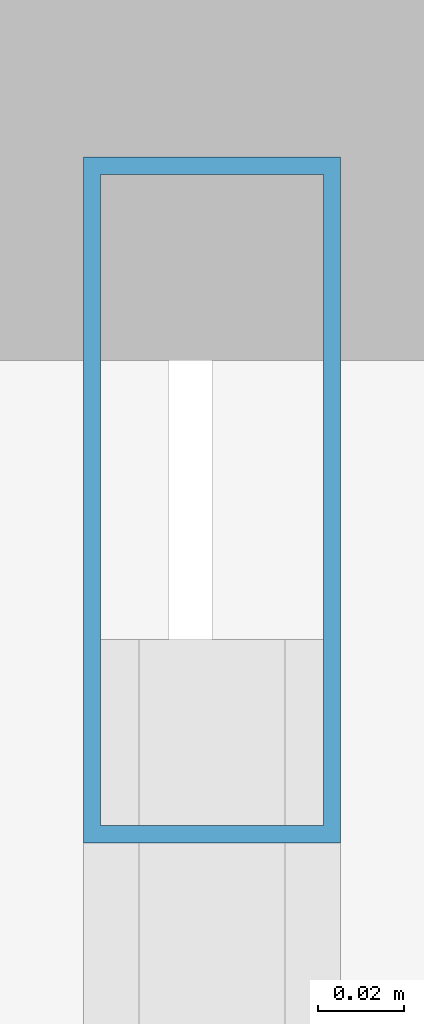
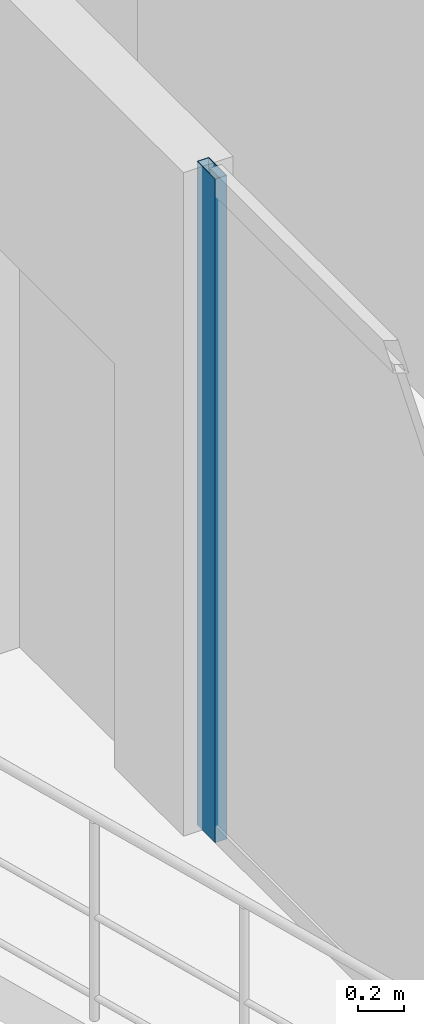
# One storey, part 9 of 17: 1 member, 1 element without a shape of its own.
"""IFC4 building model written with IfcOpenShell, lengths in metres."""

import ifcopenshell
import ifcopenshell.guid

model = None  # the IFC model being written
_history = None  # IfcOwnerHistory: only IFC2X3 demands one
_inside = {}  # id of a spatial element -> (the spatial element, [elements in it])
_under = {}  # id of a project, library or spatial element -> (it, [spatial elements below it])
_declared = {}  # id of a project -> (the project, [libraries it declares])
_typed = {}  # id of a type object -> (the type object, [elements of that type])
_made_of = {}  # id of a material, layer set ... -> (it, [elements and type objects made of it])


def new_model(schema):
    """Start an empty IFC model of exactly this schema.

    Asked for "IFC4X3", IfcOpenShell would pick the latest addendum, in which some entities
    have other attributes; the version numbers below select the first issue.
    IFC2X3 requires an IfcOwnerHistory on every rooted entity: one is made here for all.
    """
    global model, _history
    if schema == "IFC4X3":
        model = ifcopenshell.file(schema_version=(4, 3, 0, 0))
    else:
        model = ifcopenshell.file(schema=schema)
    _inside.clear()
    _under.clear()
    _declared.clear()
    _typed.clear()
    _made_of.clear()
    _history = None
    if model.schema == "IFC2X3":
        org = make("IfcOrganization", Name="unknown")
        user = make(
            "IfcPersonAndOrganization",
            ThePerson=make("IfcPerson", FamilyName="unknown"),
            TheOrganization=org,
        )
        app = make(
            "IfcApplication",
            ApplicationDeveloper=org,
            Version="unknown",
            ApplicationFullName="unknown",
            ApplicationIdentifier="unknown",
        )
        _history = make(
            "IfcOwnerHistory",
            OwningUser=user,
            OwningApplication=app,
            ChangeAction="ADDED",
            CreationDate=0,
        )
    return model


def make(cls, **values):
    """One entity of the class cls with the attributes given. An attribute that is None is left unset."""
    return model.create_entity(
        cls, **{name: value for name, value in values.items() if value is not None}
    )


def rooted(cls, **values):
    """An entity with a GlobalId (a new one), such as an element, a storey or a relation."""
    return make(cls, GlobalId=ifcopenshell.guid.new(), OwnerHistory=_history, **values)


def si_unit(unit_type, name, prefix=None):
    """IfcSIUnit, for example si_unit("LENGTHUNIT", "METRE", prefix="MILLI")."""
    return make("IfcSIUnit", UnitType=unit_type, Prefix=prefix, Name=name)


def assignment(units):
    """IfcUnitAssignment: the units of a project."""
    return None if units is None else make("IfcUnitAssignment", Units=units)


def point(xyz):
    """IfcCartesianPoint."""
    return None if xyz is None else make("IfcCartesianPoint", Coordinates=xyz)


def direction(xyz):
    """IfcDirection."""
    return None if xyz is None else make("IfcDirection", DirectionRatios=xyz)


def frame(location, z_axis=None, x_axis=None):
    """IfcAxis2Placement3D, a coordinate frame: its origin and axes. An axis left out is left unset."""
    return make(
        "IfcAxis2Placement3D",
        Location=point(location),
        Axis=direction(z_axis),
        RefDirection=direction(x_axis),
    )


def frame_2d(location, x_axis=None):
    """IfcAxis2Placement2D, a coordinate frame in the plane: its origin and x axis."""
    return make(
        "IfcAxis2Placement2D", Location=point(location), RefDirection=direction(x_axis)
    )


def origin():
    """The frame at (0, 0, 0) with its axes left unset."""
    return frame((0.0, 0.0, 0.0))


def origin_2d():
    """The frame at (0, 0) in the plane with its x axis left unset."""
    return frame_2d((0.0, 0.0))


def place(relative_to, where):
    """IfcLocalPlacement: puts the frame where relative to a parent placement (None: the world)."""
    return make(
        "IfcLocalPlacement", PlacementRelTo=relative_to, RelativePlacement=where
    )


def context(
    kind, dimensions, precision=None, world=None, true_north=None, identifier=None
):
    """IfcGeometricRepresentationContext, for example the 3D "Model" context."""
    return make(
        "IfcGeometricRepresentationContext",
        ContextIdentifier=identifier,
        ContextType=kind,
        CoordinateSpaceDimension=dimensions,
        Precision=precision,
        WorldCoordinateSystem=world,
        TrueNorth=true_north,
    )


def subcontext(parent, identifier, kind, view, scale=None):
    """IfcGeometricRepresentationSubContext, for example "Body" below "Model"."""
    return make(
        "IfcGeometricRepresentationSubContext",
        ContextIdentifier=identifier,
        ContextType=kind,
        ParentContext=parent,
        TargetScale=scale,
        TargetView=view,
    )


def project(units=None, contexts=None):
    """IfcProject with its units and contexts."""
    return rooted(
        "IfcProject",
        Name="project",
        RepresentationContexts=contexts,
        UnitsInContext=assignment(units),
    )


def spatial(cls, under=None, at=None, **own):
    """A site, building, storey or space (cls), placed at a placement, below another one or the project."""
    s = rooted(cls, ObjectPlacement=at, **own)
    if under is not None:
        _under.setdefault(under.id(), (under, []))[1].append(s)
    return s


def profile(cls, at=None, kind="AREA", **sizes):
    """A parametric profile (cls). Its sizes go by their IFC names, for example OverallWidth=200.0."""
    return make(cls, ProfileType=kind, Position=at, **sizes)


def hollow_rectangle(**sizes):
    """IfcRectangleHollowProfileDef."""
    return profile("IfcRectangleHollowProfileDef", **sizes)


def extrude(swept, where, along, depth):
    """IfcExtrudedAreaSolid: the profile swept, set in the frame where, extruded along a direction by depth."""
    return make(
        "IfcExtrudedAreaSolid",
        SweptArea=swept,
        Position=where,
        ExtrudedDirection=direction(along),
        Depth=depth,
    )


def shape(context_of_items, identifier, shape_type, items):
    """IfcShapeRepresentation: the items that make up one representation, for example the "Body"."""
    return make(
        "IfcShapeRepresentation",
        ContextOfItems=context_of_items,
        RepresentationIdentifier=identifier,
        RepresentationType=shape_type,
        Items=items,
    )


def material(Name=None, Category=None):
    """IfcMaterial."""
    return make("IfcMaterial", Name=Name, Category=Category)


def layer(
    of_material, thickness, ventilated=None, Name=None, Category=None, Priority=None
):
    """IfcMaterialLayer: one layer of a wall or slab, of a material (None: an air gap)."""
    return make(
        "IfcMaterialLayer",
        Material=of_material,
        LayerThickness=thickness,
        IsVentilated=ventilated,
        Name=Name,
        Category=Category,
        Priority=Priority,
    )


def layer_set(layers, Name=None):
    """IfcMaterialLayerSet."""
    return make("IfcMaterialLayerSet", MaterialLayers=layers, LayerSetName=Name)


def material_profile(
    of_material, cross_section, Name=None, Category=None, Priority=None
):
    """IfcMaterialProfile: a cross section and its material."""
    return make(
        "IfcMaterialProfile",
        Name=Name,
        Material=of_material,
        Profile=cross_section,
        Priority=Priority,
        Category=Category,
    )


def profile_set(profiles, Name=None, composite=None):
    """IfcMaterialProfileSet."""
    return make(
        "IfcMaterialProfileSet",
        Name=Name,
        MaterialProfiles=profiles,
        CompositeProfile=composite,
    )


def made_of(thing, what):
    """Note that an element or type object is made of a material, layer set ...; save() writes the relation."""
    if what is not None:
        _made_of.setdefault(what.id(), (what, []))[1].append(thing)
    return thing


def type_object(cls, material=None, **own):
    """A type object (cls), such as IfcWallType, which elements share."""
    return made_of(rooted(cls, **own), material)


def element(
    cls,
    number,
    at=None,
    inside=None,
    cuts=None,
    type_object=None,
    material=None,
    context=None,
    identifier="Body",
    shape_type=None,
    held_by="IfcProductDefinitionShape",
    body=None,
    shapes=None,
    **own,
):
    """One element of the class cls, such as IfcWall. Its Tag is "e" and its number.

    at: its placement. inside: the storey or other place that contains it. cuts: it is an
    opening in that element (IfcRelVoidsElement). A single representation is given by context,
    identifier, shape_type and body (its items); several are given by shapes. held_by: the class
    of the entity that holds the representations. save() writes the other relations.
    """
    e = rooted(cls, Tag="e%d" % number, ObjectPlacement=at, **own)
    if body is not None:
        shapes = [shape(context, identifier, shape_type, body)]
    if shapes is not None:
        e.Representation = make(held_by, Representations=shapes)
    if inside is not None:
        _inside.setdefault(inside.id(), (inside, []))[1].append(e)
    if cuts is not None:
        rooted(
            "IfcRelVoidsElement", RelatingBuildingElement=cuts, RelatedOpeningElement=e
        )
    if type_object is not None:
        _typed.setdefault(type_object.id(), (type_object, []))[1].append(e)
    return made_of(e, material)


def aggregate(whole, parts):
    """IfcRelAggregates: a whole, such as a stair, and the parts it consists of."""
    return rooted("IfcRelAggregates", RelatingObject=whole, RelatedObjects=parts)


def save(model, path):
    """Write the relations noted so far, then the file.

    IfcRelAggregates (storeys below a building ...), IfcRelContainedInSpatialStructure (elements
    in a storey), IfcRelDefinesByType, IfcRelAssociatesMaterial and IfcRelDeclares: one each for
    every whole, place, type object, material and project.
    """
    for whole, parts in _under.values():
        aggregate(whole, parts)
    for where, things in _inside.values():
        rooted(
            "IfcRelContainedInSpatialStructure",
            RelatedElements=things,
            RelatingStructure=where,
        )
    for kind, things in _typed.values():
        rooted("IfcRelDefinesByType", RelatedObjects=things, RelatingType=kind)
    for what, things in _made_of.values():
        rooted("IfcRelAssociatesMaterial", RelatedObjects=things, RelatingMaterial=what)
    for by, libraries in _declared.values():
        rooted("IfcRelDeclares", RelatingContext=by, RelatedDefinitions=libraries)
    model.write(path)


model = new_model("IFC4")

# Units and contexts
model_context = context("Model", 3, precision=1e-05, world=origin(), true_north=direction((0.0, 1.0)))
body_context = subcontext(model_context, "Body", "Model", "MODEL_VIEW")
ifc_project = project(units=[si_unit("LENGTHUNIT", "METRE"), si_unit("AREAUNIT", "SQUARE_METRE"), si_unit("VOLUMEUNIT", "CUBIC_METRE"), si_unit("PLANEANGLEUNIT", "RADIAN"), si_unit("MASSUNIT", "GRAM", prefix="KILO")], contexts=[model_context])

# Site, building, storey
site_placement = place(None, origin())
site = spatial("IfcSite", under=ifc_project, at=site_placement, CompositionType="ELEMENT")
building_placement = place(site_placement, origin())
building = spatial("IfcBuilding", under=site, at=building_placement, Name="Catumbela Crestline Tower", CompositionType="ELEMENT")
storey_placement = place(building_placement, frame((0.0, 0.0, 279.2)))
storey = spatial("IfcBuildingStorey", under=building, at=storey_placement, Name="L72", CompositionType="ELEMENT", Elevation=279.2)

# Curtain wall, member
ifc_material = material(Name="Aluminium alloy AW-6060-T66", Category="aluminium")
ifc_layer = layer(ifc_material, 0.18, Name="Aluminium alloy AW-6060-T66")
ifc_layer_set = layer_set([ifc_layer], Name="Aluminium alloy AW-6060-T66")
curtain_wall_type = type_object("IfcCurtainWallType", Name="CWU-Z4", PredefinedType="USERDEFINED", material=ifc_layer_set)
curtain_wall_placement = place(storey_placement, origin())
curtain_wall = element("IfcCurtainWall", 1, at=curtain_wall_placement, inside=storey, type_object=curtain_wall_type, Name="L72 Unitised Curtain Wall CW-L72-E9S2", ObjectType="UNITISED", PredefinedType="USERDEFINED")
ifc_material_profile = material_profile(ifc_material, hollow_rectangle(XDim=0.06, YDim=0.16, WallThickness=0.004, at=origin_2d()), Name="ALU 160x60x4")
ifc_profile_set = profile_set([ifc_material_profile], Name="Aluminium alloy AW-6060-T66")
member_type = type_object("IfcMemberType", Name="MUL-160X60", PredefinedType="MULLION", material=ifc_profile_set)
member_placement = place(storey_placement, frame((9.2, 34.5675, 0.0), z_axis=(0.0, 0.0, 1.0), x_axis=(1.0, 0.0, 0.0)))
member = element("IfcMember", 2, at=member_placement, type_object=member_type, Name="CWU-Z4 mullion 1", PredefinedType="MULLION", context=body_context, shape_type="SweptSolid", body=[
    extrude(hollow_rectangle(XDim=0.06, YDim=0.16, WallThickness=0.004, at=origin_2d()), origin(), (0.0, 0.0, 1.0), 3.53),
])
aggregate(curtain_wall, [member])

save(model, "model.ifc")
